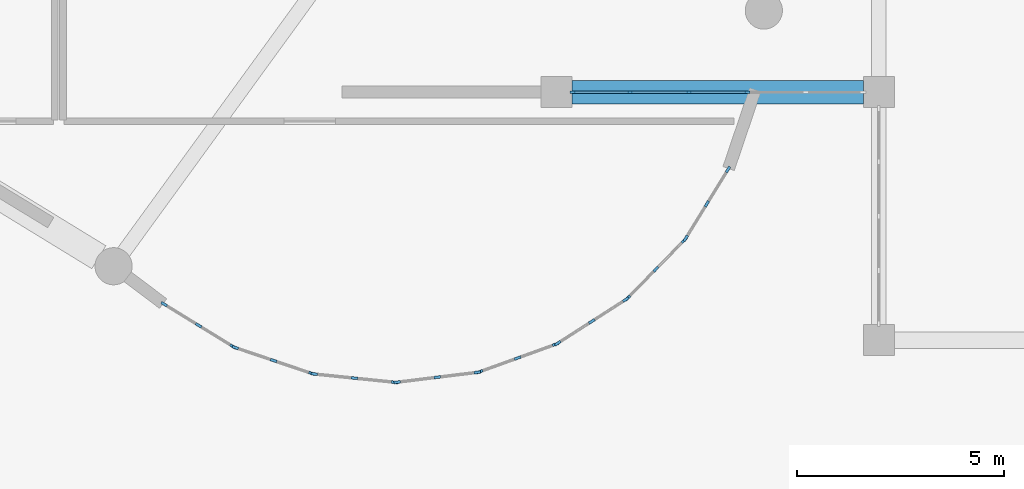
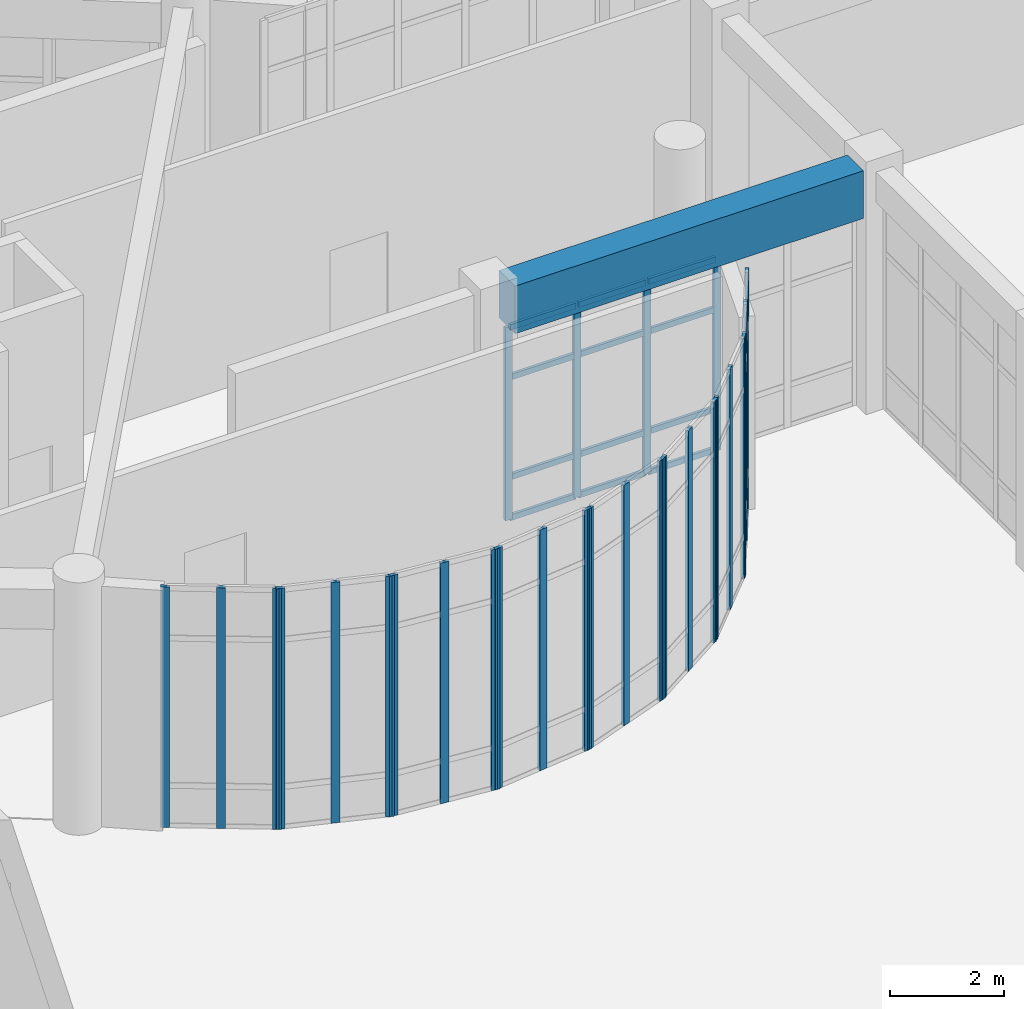
# One storey, part 17 of 70: 40 members, 1 beam, 9 elements without a shape of their own.
"""IFC4 building model written with IfcOpenShell, lengths in metres."""

import ifcopenshell
import ifcopenshell.guid

model = None  # the IFC model being written
_history = None  # IfcOwnerHistory: only IFC2X3 demands one
_inside = {}  # id of a spatial element -> (the spatial element, [elements in it])
_under = {}  # id of a project, library or spatial element -> (it, [spatial elements below it])
_declared = {}  # id of a project -> (the project, [libraries it declares])
_typed = {}  # id of a type object -> (the type object, [elements of that type])
_made_of = {}  # id of a material, layer set ... -> (it, [elements and type objects made of it])


def new_model(schema):
    """Start an empty IFC model of exactly this schema.

    Asked for "IFC4X3", IfcOpenShell would pick the latest addendum, in which some entities
    have other attributes; the version numbers below select the first issue.
    IFC2X3 requires an IfcOwnerHistory on every rooted entity: one is made here for all.
    """
    global model, _history
    if schema == "IFC4X3":
        model = ifcopenshell.file(schema_version=(4, 3, 0, 0))
    else:
        model = ifcopenshell.file(schema=schema)
    _inside.clear()
    _under.clear()
    _declared.clear()
    _typed.clear()
    _made_of.clear()
    _history = None
    if model.schema == "IFC2X3":
        org = make("IfcOrganization", Name="unknown")
        user = make(
            "IfcPersonAndOrganization",
            ThePerson=make("IfcPerson", FamilyName="unknown"),
            TheOrganization=org,
        )
        app = make(
            "IfcApplication",
            ApplicationDeveloper=org,
            Version="unknown",
            ApplicationFullName="unknown",
            ApplicationIdentifier="unknown",
        )
        _history = make(
            "IfcOwnerHistory",
            OwningUser=user,
            OwningApplication=app,
            ChangeAction="ADDED",
            CreationDate=0,
        )
    return model


def make(cls, **values):
    """One entity of the class cls with the attributes given. An attribute that is None is left unset."""
    return model.create_entity(
        cls, **{name: value for name, value in values.items() if value is not None}
    )


def rooted(cls, **values):
    """An entity with a GlobalId (a new one), such as an element, a storey or a relation."""
    return make(cls, GlobalId=ifcopenshell.guid.new(), OwnerHistory=_history, **values)


def si_unit(unit_type, name, prefix=None):
    """IfcSIUnit, for example si_unit("LENGTHUNIT", "METRE", prefix="MILLI")."""
    return make("IfcSIUnit", UnitType=unit_type, Prefix=prefix, Name=name)


def assignment(units):
    """IfcUnitAssignment: the units of a project."""
    return None if units is None else make("IfcUnitAssignment", Units=units)


def point(xyz):
    """IfcCartesianPoint."""
    return None if xyz is None else make("IfcCartesianPoint", Coordinates=xyz)


def direction(xyz):
    """IfcDirection."""
    return None if xyz is None else make("IfcDirection", DirectionRatios=xyz)


def frame(location, z_axis=None, x_axis=None):
    """IfcAxis2Placement3D, a coordinate frame: its origin and axes. An axis left out is left unset."""
    return make(
        "IfcAxis2Placement3D",
        Location=point(location),
        Axis=direction(z_axis),
        RefDirection=direction(x_axis),
    )


def frame_2d(location, x_axis=None):
    """IfcAxis2Placement2D, a coordinate frame in the plane: its origin and x axis."""
    return make(
        "IfcAxis2Placement2D", Location=point(location), RefDirection=direction(x_axis)
    )


def origin():
    """The frame at (0, 0, 0) with its axes left unset."""
    return frame((0.0, 0.0, 0.0))


def origin_2d():
    """The frame at (0, 0) in the plane with its x axis left unset."""
    return frame_2d((0.0, 0.0))


def place(relative_to, where):
    """IfcLocalPlacement: puts the frame where relative to a parent placement (None: the world)."""
    return make(
        "IfcLocalPlacement", PlacementRelTo=relative_to, RelativePlacement=where
    )


def context(
    kind, dimensions, precision=None, world=None, true_north=None, identifier=None
):
    """IfcGeometricRepresentationContext, for example the 3D "Model" context."""
    return make(
        "IfcGeometricRepresentationContext",
        ContextIdentifier=identifier,
        ContextType=kind,
        CoordinateSpaceDimension=dimensions,
        Precision=precision,
        WorldCoordinateSystem=world,
        TrueNorth=true_north,
    )


def subcontext(parent, identifier, kind, view, scale=None):
    """IfcGeometricRepresentationSubContext, for example "Body" below "Model"."""
    return make(
        "IfcGeometricRepresentationSubContext",
        ContextIdentifier=identifier,
        ContextType=kind,
        ParentContext=parent,
        TargetScale=scale,
        TargetView=view,
    )


def project(units=None, contexts=None):
    """IfcProject with its units and contexts."""
    return rooted(
        "IfcProject",
        Name="project",
        RepresentationContexts=contexts,
        UnitsInContext=assignment(units),
    )


def spatial(cls, under=None, at=None, **own):
    """A site, building, storey or space (cls), placed at a placement, below another one or the project."""
    s = rooted(cls, ObjectPlacement=at, **own)
    if under is not None:
        _under.setdefault(under.id(), (under, []))[1].append(s)
    return s


def profile(cls, at=None, kind="AREA", **sizes):
    """A parametric profile (cls). Its sizes go by their IFC names, for example OverallWidth=200.0."""
    return make(cls, ProfileType=kind, Position=at, **sizes)


def rectangle(**sizes):
    """IfcRectangleProfileDef."""
    return profile("IfcRectangleProfileDef", **sizes)


def extrude(swept, where, along, depth):
    """IfcExtrudedAreaSolid: the profile swept, set in the frame where, extruded along a direction by depth."""
    return make(
        "IfcExtrudedAreaSolid",
        SweptArea=swept,
        Position=where,
        ExtrudedDirection=direction(along),
        Depth=depth,
    )


def shape(context_of_items, identifier, shape_type, items):
    """IfcShapeRepresentation: the items that make up one representation, for example the "Body"."""
    return make(
        "IfcShapeRepresentation",
        ContextOfItems=context_of_items,
        RepresentationIdentifier=identifier,
        RepresentationType=shape_type,
        Items=items,
    )


def material(Name=None, Category=None):
    """IfcMaterial."""
    return make("IfcMaterial", Name=Name, Category=Category)


def layer(
    of_material, thickness, ventilated=None, Name=None, Category=None, Priority=None
):
    """IfcMaterialLayer: one layer of a wall or slab, of a material (None: an air gap)."""
    return make(
        "IfcMaterialLayer",
        Material=of_material,
        LayerThickness=thickness,
        IsVentilated=ventilated,
        Name=Name,
        Category=Category,
        Priority=Priority,
    )


def layer_set(layers, Name=None):
    """IfcMaterialLayerSet."""
    return make("IfcMaterialLayerSet", MaterialLayers=layers, LayerSetName=Name)


def material_profile(
    of_material, cross_section, Name=None, Category=None, Priority=None
):
    """IfcMaterialProfile: a cross section and its material."""
    return make(
        "IfcMaterialProfile",
        Name=Name,
        Material=of_material,
        Profile=cross_section,
        Priority=Priority,
        Category=Category,
    )


def profile_set(profiles, Name=None, composite=None):
    """IfcMaterialProfileSet."""
    return make(
        "IfcMaterialProfileSet",
        Name=Name,
        MaterialProfiles=profiles,
        CompositeProfile=composite,
    )


def made_of(thing, what):
    """Note that an element or type object is made of a material, layer set ...; save() writes the relation."""
    if what is not None:
        _made_of.setdefault(what.id(), (what, []))[1].append(thing)
    return thing


def type_object(cls, material=None, **own):
    """A type object (cls), such as IfcWallType, which elements share."""
    return made_of(rooted(cls, **own), material)


def element(
    cls,
    number,
    at=None,
    inside=None,
    cuts=None,
    type_object=None,
    material=None,
    context=None,
    identifier="Body",
    shape_type=None,
    held_by="IfcProductDefinitionShape",
    body=None,
    shapes=None,
    **own,
):
    """One element of the class cls, such as IfcWall. Its Tag is "e" and its number.

    at: its placement. inside: the storey or other place that contains it. cuts: it is an
    opening in that element (IfcRelVoidsElement). A single representation is given by context,
    identifier, shape_type and body (its items); several are given by shapes. held_by: the class
    of the entity that holds the representations. save() writes the other relations.
    """
    e = rooted(cls, Tag="e%d" % number, ObjectPlacement=at, **own)
    if body is not None:
        shapes = [shape(context, identifier, shape_type, body)]
    if shapes is not None:
        e.Representation = make(held_by, Representations=shapes)
    if inside is not None:
        _inside.setdefault(inside.id(), (inside, []))[1].append(e)
    if cuts is not None:
        rooted(
            "IfcRelVoidsElement", RelatingBuildingElement=cuts, RelatedOpeningElement=e
        )
    if type_object is not None:
        _typed.setdefault(type_object.id(), (type_object, []))[1].append(e)
    return made_of(e, material)


def aggregate(whole, parts):
    """IfcRelAggregates: a whole, such as a stair, and the parts it consists of."""
    return rooted("IfcRelAggregates", RelatingObject=whole, RelatedObjects=parts)


def save(model, path):
    """Write the relations noted so far, then the file.

    IfcRelAggregates (storeys below a building ...), IfcRelContainedInSpatialStructure (elements
    in a storey), IfcRelDefinesByType, IfcRelAssociatesMaterial and IfcRelDeclares: one each for
    every whole, place, type object, material and project.
    """
    for whole, parts in _under.values():
        aggregate(whole, parts)
    for where, things in _inside.values():
        rooted(
            "IfcRelContainedInSpatialStructure",
            RelatedElements=things,
            RelatingStructure=where,
        )
    for kind, things in _typed.values():
        rooted("IfcRelDefinesByType", RelatedObjects=things, RelatingType=kind)
    for what, things in _made_of.values():
        rooted("IfcRelAssociatesMaterial", RelatedObjects=things, RelatingMaterial=what)
    for by, libraries in _declared.values():
        rooted("IfcRelDeclares", RelatingContext=by, RelatedDefinitions=libraries)
    model.write(path)


model = new_model("IFC4")

# Units and contexts
model_context = context("Model", 3, precision=1e-05, world=origin(), true_north=direction((0.0, 1.0)))
body_context = subcontext(model_context, "Body", "Model", "MODEL_VIEW")
ifc_project = project(units=[si_unit("LENGTHUNIT", "METRE"), si_unit("AREAUNIT", "SQUARE_METRE"), si_unit("VOLUMEUNIT", "CUBIC_METRE"), si_unit("PLANEANGLEUNIT", "RADIAN"), si_unit("MASSUNIT", "GRAM", prefix="KILO")], contexts=[model_context])

# Site, building, storey
site_placement = place(None, origin())
site = spatial("IfcSite", under=ifc_project, at=site_placement, CompositionType="ELEMENT")
building_placement = place(site_placement, origin())
building = spatial("IfcBuilding", under=site, at=building_placement, Name="Miralva Faculty of Natural Sciences", CompositionType="ELEMENT")
storey_placement = place(building_placement, origin())
storey = spatial("IfcBuildingStorey", under=building, at=storey_placement, Name="L00", CompositionType="ELEMENT", Elevation=0.0)

# Beam
ifc_material_1 = material(Name="Concrete C40/50", Category="concrete")
ifc_material_profile_1 = material_profile(ifc_material_1, rectangle(XDim=0.56005859375, YDim=1.02001953125, at=origin_2d()), Name="RC 560x1020")
ifc_profile_set_1 = profile_set([ifc_material_profile_1], Name="Concrete C40/50")
beam_type = type_object("IfcBeamType", Name="BM-BG22", PredefinedType="BEAM", material=ifc_profile_set_1)
beam_placement = place(storey_placement, frame((126.375, 18.0, 4.64990234375), z_axis=(1.0, 0.0, 0.0), x_axis=(0.0, 1.0, 0.0)))
element("IfcBeam", 1, at=beam_placement, inside=storey, type_object=beam_type, Name="Girder EW L00-21", PredefinedType="BEAM", context=body_context, shape_type="SweptSolid", body=[
    extrude(rectangle(XDim=0.56005859375, YDim=1.02001953125, at=origin_2d()), origin(), (0.0, 0.0, 1.0), 7.050048828125),
])

# Curtain wall, members
ifc_material_2 = material(Name="Laminated solar-control glass", Category="glass")
ifc_layer_1 = layer(ifc_material_2, 0.179931640625, Name="CW-RND-L00")
ifc_layer_set_1 = layer_set([ifc_layer_1], Name="Laminated solar-control glass")
curtain_wall_type_1 = type_object("IfcCurtainWallType", Name="CW-RND-L00", PredefinedType="USERDEFINED", material=ifc_layer_set_1)
curtain_wall_1_placement = place(storey_placement, origin())
curtain_wall_1 = element("IfcCurtainWall", 2, at=curtain_wall_1_placement, inside=storey, type_object=curtain_wall_type_1, Name="Curtain wall CW-04 L00-21", ObjectType="UNITISED CURTAIN WALL", PredefinedType="USERDEFINED")
ifc_material_3 = material(Name="Anodised aluminium", Category="aluminium")
ifc_material_profile_2 = material_profile(ifc_material_3, rectangle(XDim=0.06494140625, YDim=0.159912109375, at=origin_2d()), Name="MULLION 65x160")
ifc_profile_set_2 = profile_set([ifc_material_profile_2], Name="Anodised aluminium")
member_type_1 = type_object("IfcMemberType", Name="CW-M02", PredefinedType="MULLION", material=ifc_profile_set_2)
member_1_placement = place(storey_placement, frame((129.12353515625, 14.46337890625, 0.0), z_axis=(0.0, 0.0, 1.0), x_axis=(-0.851994617353, 0.523550543884, 0.0)))
member_1 = element("IfcMember", 3, at=member_1_placement, type_object=member_type_1, Name="CW-04 mullion 1", PredefinedType="MULLION", context=body_context, shape_type="SweptSolid", body=[
    extrude(rectangle(XDim=0.06494140625, YDim=0.159912109375, at=origin_2d()), origin(), (0.0, 0.0, 1.0), 5.14990234375),
])
member_2_placement = place(storey_placement, frame((129.635498046875, 15.29638671875, 0.0), z_axis=(0.0, 0.0, 1.0), x_axis=(-0.851994617353, 0.523550543884, 0.0)))
member_2 = element("IfcMember", 4, at=member_2_placement, type_object=member_type_1, Name="CW-04 mullion 2", PredefinedType="MULLION", context=body_context, shape_type="SweptSolid", body=[
    extrude(rectangle(XDim=0.06494140625, YDim=0.159912109375, at=origin_2d()), origin(), (0.0, 0.0, 1.0), 5.14990234375),
])
member_3_placement = place(storey_placement, frame((130.147216796875, 16.12939453125, 0.0), z_axis=(0.0, 0.0, 1.0), x_axis=(-0.851994617353, 0.523550543884, 0.0)))
member_3 = element("IfcMember", 5, at=member_3_placement, type_object=member_type_1, Name="CW-04 mullion 3", PredefinedType="MULLION", context=body_context, shape_type="SweptSolid", body=[
    extrude(rectangle(XDim=0.06494140625, YDim=0.159912109375, at=origin_2d()), origin(), (0.0, 0.0, 1.0), 5.14990234375),
])
aggregate(curtain_wall_1, [member_1, member_2, member_3])

curtain_wall_2_placement = place(storey_placement, origin())
curtain_wall_2 = element("IfcCurtainWall", 6, at=curtain_wall_2_placement, inside=storey, type_object=curtain_wall_type_1, Name="Curtain wall CW-04 L00-22", ObjectType="UNITISED CURTAIN WALL", PredefinedType="USERDEFINED")
member_4_placement = place(storey_placement, frame((127.718505859375, 13.01953125, 0.0), z_axis=(0.0, 0.0, 1.0), x_axis=(-0.714124749017, 0.700018458929, 0.0)))
member_4 = element("IfcMember", 7, at=member_4_placement, type_object=member_type_1, Name="CW-04 mullion 1", PredefinedType="MULLION", context=body_context, shape_type="SweptSolid", body=[
    extrude(rectangle(XDim=0.06494140625, YDim=0.159912109375, at=origin_2d()), origin(), (0.0, 0.0, 1.0), 5.14990234375),
])
member_5_placement = place(storey_placement, frame((128.40283203125, 13.7177734375, 0.0), z_axis=(0.0, 0.0, 1.0), x_axis=(-0.714124749017, 0.700018458929, 0.0)))
member_5 = element("IfcMember", 8, at=member_5_placement, type_object=member_type_1, Name="CW-04 mullion 2", PredefinedType="MULLION", context=body_context, shape_type="SweptSolid", body=[
    extrude(rectangle(XDim=0.06494140625, YDim=0.159912109375, at=origin_2d()), origin(), (0.0, 0.0, 1.0), 5.14990234375),
])
member_6_placement = place(storey_placement, frame((129.087158203125, 14.416015625, 0.0), z_axis=(0.0, 0.0, 1.0), x_axis=(-0.714124749017, 0.700018458929, 0.0)))
member_6 = element("IfcMember", 9, at=member_6_placement, type_object=member_type_1, Name="CW-04 mullion 3", PredefinedType="MULLION", context=body_context, shape_type="SweptSolid", body=[
    extrude(rectangle(XDim=0.06494140625, YDim=0.159912109375, at=origin_2d()), origin(), (0.0, 0.0, 1.0), 5.14990234375),
])
aggregate(curtain_wall_2, [member_4, member_5, member_6])

curtain_wall_3_placement = place(storey_placement, origin())
curtain_wall_3 = element("IfcCurtainWall", 10, at=curtain_wall_3_placement, inside=storey, type_object=curtain_wall_type_1, Name="Curtain wall CW-04 L00-23", ObjectType="UNITISED CURTAIN WALL", PredefinedType="USERDEFINED")
member_7_placement = place(storey_placement, frame((126.02734375, 11.9248046875, 0.0), z_axis=(0.0, 0.0, 1.0), x_axis=(-0.540444854725, 0.841379438185, 0.0)))
member_7 = element("IfcMember", 11, at=member_7_placement, type_object=member_type_1, Name="CW-04 mullion 1", PredefinedType="MULLION", context=body_context, shape_type="SweptSolid", body=[
    extrude(rectangle(XDim=0.06494140625, YDim=0.159912109375, at=origin_2d()), origin(), (0.0, 0.0, 1.0), 5.14990234375),
])
member_8_placement = place(storey_placement, frame((126.849853515625, 12.453125, 0.0), z_axis=(0.0, 0.0, 1.0), x_axis=(-0.540444854725, 0.841379438185, 0.0)))
member_8 = element("IfcMember", 12, at=member_8_placement, type_object=member_type_1, Name="CW-04 mullion 2", PredefinedType="MULLION", context=body_context, shape_type="SweptSolid", body=[
    extrude(rectangle(XDim=0.06494140625, YDim=0.159912109375, at=origin_2d()), origin(), (0.0, 0.0, 1.0), 5.14990234375),
])
member_9_placement = place(storey_placement, frame((127.672607421875, 12.9814453125, 0.0), z_axis=(0.0, 0.0, 1.0), x_axis=(-0.540444854725, 0.841379438185, 0.0)))
member_9 = element("IfcMember", 13, at=member_9_placement, type_object=member_type_1, Name="CW-04 mullion 3", PredefinedType="MULLION", context=body_context, shape_type="SweptSolid", body=[
    extrude(rectangle(XDim=0.06494140625, YDim=0.159912109375, at=origin_2d()), origin(), (0.0, 0.0, 1.0), 5.14990234375),
])
aggregate(curtain_wall_3, [member_7, member_8, member_9])

curtain_wall_4_placement = place(storey_placement, origin())
curtain_wall_4 = element("IfcCurtainWall", 14, at=curtain_wall_4_placement, inside=storey, type_object=curtain_wall_type_1, Name="Curtain wall CW-04 L00-24", ObjectType="UNITISED CURTAIN WALL", PredefinedType="USERDEFINED")
member_10_placement = place(storey_placement, frame((124.135009765625, 11.233642578125, 0.0), z_axis=(0.0, 0.0, 1.0), x_axis=(-0.339695547876, 0.940535451088, 0.0)))
member_10 = element("IfcMember", 15, at=member_10_placement, type_object=member_type_1, Name="CW-04 mullion 1", PredefinedType="MULLION", context=body_context, shape_type="SweptSolid", body=[
    extrude(rectangle(XDim=0.06494140625, YDim=0.159912109375, at=origin_2d()), origin(), (0.0, 0.0, 1.0), 5.14990234375),
])
member_11_placement = place(storey_placement, frame((125.0546875, 11.565673828125, 0.0), z_axis=(0.0, 0.0, 1.0), x_axis=(-0.339695547876, 0.940535451088, 0.0)))
member_11 = element("IfcMember", 16, at=member_11_placement, type_object=member_type_1, Name="CW-04 mullion 2", PredefinedType="MULLION", context=body_context, shape_type="SweptSolid", body=[
    extrude(rectangle(XDim=0.06494140625, YDim=0.159912109375, at=origin_2d()), origin(), (0.0, 0.0, 1.0), 5.14990234375),
])
member_12_placement = place(storey_placement, frame((125.97412109375, 11.89794921875, 0.0), z_axis=(0.0, 0.0, 1.0), x_axis=(-0.339695547876, 0.940535451088, 0.0)))
member_12 = element("IfcMember", 17, at=member_12_placement, type_object=member_type_1, Name="CW-04 mullion 3", PredefinedType="MULLION", context=body_context, shape_type="SweptSolid", body=[
    extrude(rectangle(XDim=0.06494140625, YDim=0.159912109375, at=origin_2d()), origin(), (0.0, 0.0, 1.0), 5.14990234375),
])
aggregate(curtain_wall_4, [member_10, member_11, member_12])

curtain_wall_5_placement = place(storey_placement, origin())
curtain_wall_5 = element("IfcCurtainWall", 18, at=curtain_wall_5_placement, inside=storey, type_object=curtain_wall_type_1, Name="Curtain wall CW-04 L00-25", ObjectType="UNITISED CURTAIN WALL", PredefinedType="USERDEFINED")
member_13_placement = place(storey_placement, frame((122.136474609375, 10.98095703125, 0.0), z_axis=(0.0, 0.0, 1.0), x_axis=(-0.121859649701, 0.99254734183, 0.0)))
member_13 = element("IfcMember", 19, at=member_13_placement, type_object=member_type_1, Name="CW-04 mullion 1", PredefinedType="MULLION", context=body_context, shape_type="SweptSolid", body=[
    extrude(rectangle(XDim=0.06494140625, YDim=0.159912109375, at=origin_2d()), origin(), (0.0, 0.0, 1.0), 5.14990234375),
])
member_14_placement = place(storey_placement, frame((123.10693359375, 11.10009765625, 0.0), z_axis=(0.0, 0.0, 1.0), x_axis=(-0.121859649701, 0.99254734183, 0.0)))
member_14 = element("IfcMember", 20, at=member_14_placement, type_object=member_type_1, Name="CW-04 mullion 2", PredefinedType="MULLION", context=body_context, shape_type="SweptSolid", body=[
    extrude(rectangle(XDim=0.06494140625, YDim=0.159912109375, at=origin_2d()), origin(), (0.0, 0.0, 1.0), 5.14990234375),
])
member_15_placement = place(storey_placement, frame((124.0771484375, 11.21923828125, 0.0), z_axis=(0.0, 0.0, 1.0), x_axis=(-0.121859649701, 0.99254734183, 0.0)))
member_15 = element("IfcMember", 21, at=member_15_placement, type_object=member_type_1, Name="CW-04 mullion 3", PredefinedType="MULLION", context=body_context, shape_type="SweptSolid", body=[
    extrude(rectangle(XDim=0.06494140625, YDim=0.159912109375, at=origin_2d()), origin(), (0.0, 0.0, 1.0), 5.14990234375),
])
aggregate(curtain_wall_5, [member_13, member_14, member_15])

curtain_wall_6_placement = place(storey_placement, origin())
curtain_wall_6 = element("IfcCurtainWall", 22, at=curtain_wall_6_placement, inside=storey, type_object=curtain_wall_type_1, Name="Curtain wall CW-04 L00-26", ObjectType="UNITISED CURTAIN WALL", PredefinedType="USERDEFINED")
member_16_placement = place(storey_placement, frame((120.131591796875, 11.179443359375, 0.0), z_axis=(0.0, 0.0, 1.0), x_axis=(0.102056494477, 0.994778604482, 0.0)))
member_16 = element("IfcMember", 23, at=member_16_placement, type_object=member_type_1, Name="CW-04 mullion 1", PredefinedType="MULLION", context=body_context, shape_type="SweptSolid", body=[
    extrude(rectangle(XDim=0.06494140625, YDim=0.159912109375, at=origin_2d()), origin(), (0.0, 0.0, 1.0), 5.14990234375),
])
member_17_placement = place(storey_placement, frame((121.104248046875, 11.07958984375, 0.0), z_axis=(0.0, 0.0, 1.0), x_axis=(0.102056494477, 0.994778604482, 0.0)))
member_17 = element("IfcMember", 24, at=member_17_placement, type_object=member_type_1, Name="CW-04 mullion 2", PredefinedType="MULLION", context=body_context, shape_type="SweptSolid", body=[
    extrude(rectangle(XDim=0.06494140625, YDim=0.159912109375, at=origin_2d()), origin(), (0.0, 0.0, 1.0), 5.14990234375),
])
member_18_placement = place(storey_placement, frame((122.076904296875, 10.979736328125, 0.0), z_axis=(0.0, 0.0, 1.0), x_axis=(0.102056494477, 0.994778604482, 0.0)))
member_18 = element("IfcMember", 25, at=member_18_placement, type_object=member_type_1, Name="CW-04 mullion 3", PredefinedType="MULLION", context=body_context, shape_type="SweptSolid", body=[
    extrude(rectangle(XDim=0.06494140625, YDim=0.159912109375, at=origin_2d()), origin(), (0.0, 0.0, 1.0), 5.14990234375),
])
aggregate(curtain_wall_6, [member_16, member_17, member_18])

curtain_wall_7_placement = place(storey_placement, origin())
curtain_wall_7 = element("IfcCurtainWall", 26, at=curtain_wall_7_placement, inside=storey, type_object=curtain_wall_type_1, Name="Curtain wall CW-04 L00-27", ObjectType="UNITISED CURTAIN WALL", PredefinedType="USERDEFINED")
member_19_placement = place(storey_placement, frame((118.22119140625, 11.81884765625, 0.0), z_axis=(0.0, 0.0, 1.0), x_axis=(0.320842126361, 0.947132688672, 0.0)))
member_19 = element("IfcMember", 27, at=member_19_placement, type_object=member_type_1, Name="CW-04 mullion 1", PredefinedType="MULLION", context=body_context, shape_type="SweptSolid", body=[
    extrude(rectangle(XDim=0.06494140625, YDim=0.159912109375, at=origin_2d()), origin(), (0.0, 0.0, 1.0), 5.14990234375),
])
member_20_placement = place(storey_placement, frame((119.147216796875, 11.505126953125, 0.0), z_axis=(0.0, 0.0, 1.0), x_axis=(0.320842126361, 0.947132688672, 0.0)))
member_20 = element("IfcMember", 28, at=member_20_placement, type_object=member_type_1, Name="CW-04 mullion 2", PredefinedType="MULLION", context=body_context, shape_type="SweptSolid", body=[
    extrude(rectangle(XDim=0.06494140625, YDim=0.159912109375, at=origin_2d()), origin(), (0.0, 0.0, 1.0), 5.14990234375),
])
member_21_placement = place(storey_placement, frame((120.0732421875, 11.19140625, 0.0), z_axis=(0.0, 0.0, 1.0), x_axis=(0.320842126361, 0.947132688672, 0.0)))
member_21 = element("IfcMember", 29, at=member_21_placement, type_object=member_type_1, Name="CW-04 mullion 3", PredefinedType="MULLION", context=body_context, shape_type="SweptSolid", body=[
    extrude(rectangle(XDim=0.06494140625, YDim=0.159912109375, at=origin_2d()), origin(), (0.0, 0.0, 1.0), 5.14990234375),
])
aggregate(curtain_wall_7, [member_19, member_20, member_21])

curtain_wall_8_placement = place(storey_placement, origin())
curtain_wall_8 = element("IfcCurtainWall", 30, at=curtain_wall_8_placement, inside=storey, type_object=curtain_wall_type_1, Name="Curtain wall CW-04 L00-28", ObjectType="UNITISED CURTAIN WALL", PredefinedType="USERDEFINED")
member_22_placement = place(storey_placement, frame((116.496826171875, 12.8701171875, 0.0), z_axis=(0.0, 0.0, 1.0), x_axis=(0.523535366458, 0.852003943693, 0.0)))
member_22 = element("IfcMember", 31, at=member_22_placement, type_object=member_type_1, Name="CW-04 mullion 1", PredefinedType="MULLION", context=body_context, shape_type="SweptSolid", body=[
    extrude(rectangle(XDim=0.06494140625, YDim=0.159912109375, at=origin_2d()), origin(), (0.0, 0.0, 1.0), 5.14990234375),
])
member_23_placement = place(storey_placement, frame((117.33203125, 12.35693359375, 0.0), z_axis=(0.0, 0.0, 1.0), x_axis=(0.523535366458, 0.852003943693, 0.0)))
member_23 = element("IfcMember", 32, at=member_23_placement, type_object=member_type_1, Name="CW-04 mullion 2", PredefinedType="MULLION", context=body_context, shape_type="SweptSolid", body=[
    extrude(rectangle(XDim=0.06494140625, YDim=0.159912109375, at=origin_2d()), origin(), (0.0, 0.0, 1.0), 5.14990234375),
])
member_24_placement = place(storey_placement, frame((118.1669921875, 11.84375, 0.0), z_axis=(0.0, 0.0, 1.0), x_axis=(0.523535366458, 0.852003943693, 0.0)))
member_24 = element("IfcMember", 33, at=member_24_placement, type_object=member_type_1, Name="CW-04 mullion 3", PredefinedType="MULLION", context=body_context, shape_type="SweptSolid", body=[
    extrude(rectangle(XDim=0.06494140625, YDim=0.159912109375, at=origin_2d()), origin(), (0.0, 0.0, 1.0), 5.14990234375),
])
aggregate(curtain_wall_8, [member_22, member_23, member_24])

ifc_layer_2 = layer(ifc_material_2, 0.179931640625, Name="CW-COM-L01")
ifc_layer_set_2 = layer_set([ifc_layer_2], Name="Laminated solar-control glass")
curtain_wall_type_2 = type_object("IfcCurtainWallType", Name="CW-COM-L01", PredefinedType="USERDEFINED", material=ifc_layer_set_2)
curtain_wall_9_placement = place(storey_placement, origin())
curtain_wall_9 = element("IfcCurtainWall", 34, at=curtain_wall_9_placement, inside=storey, type_object=curtain_wall_type_2, Name="Curtain wall CW-10 L00-284", ObjectType="UNITISED CURTAIN WALL", PredefinedType="USERDEFINED")
ifc_material_profile_3 = material_profile(ifc_material_3, rectangle(XDim=0.06005859375, YDim=0.139892578125, at=origin_2d()), Name="MULLION 60x140")
ifc_profile_set_3 = profile_set([ifc_material_profile_3], Name="Anodised aluminium")
member_type_2 = type_object("IfcMemberType", Name="CW-M03", PredefinedType="MULLION", material=ifc_profile_set_3)
member_25_placement = place(storey_placement, frame((126.39501953125, 18.0, 0.0), z_axis=(0.0, 0.0, 1.0), x_axis=(0.0, 1.0, 0.0)))
member_25 = element("IfcMember", 35, at=member_25_placement, type_object=member_type_2, Name="CW-10 mullion 1", PredefinedType="MULLION", context=body_context, shape_type="SweptSolid", body=[
    extrude(rectangle(XDim=0.06005859375, YDim=0.139892578125, at=origin_2d()), origin(), (0.0, 0.0, 1.0), 4.135009765625),
])
member_26_placement = place(storey_placement, frame((127.781005859375, 18.0, 0.0), z_axis=(0.0, 0.0, 1.0), x_axis=(0.0, 1.0, 0.0)))
member_26 = element("IfcMember", 36, at=member_26_placement, type_object=member_type_2, Name="CW-10 mullion 2", PredefinedType="MULLION", context=body_context, shape_type="SweptSolid", body=[
    extrude(rectangle(XDim=0.06005859375, YDim=0.139892578125, at=origin_2d()), origin(), (0.0, 0.0, 1.0), 4.135009765625),
])
member_27_placement = place(storey_placement, frame((129.197021484375, 18.0, 0.0), z_axis=(0.0, 0.0, 1.0), x_axis=(0.0, 1.0, 0.0)))
member_27 = element("IfcMember", 37, at=member_27_placement, type_object=member_type_2, Name="CW-10 mullion 3", PredefinedType="MULLION", context=body_context, shape_type="SweptSolid", body=[
    extrude(rectangle(XDim=0.06005859375, YDim=0.139892578125, at=origin_2d()), origin(), (0.0, 0.0, 1.0), 4.135009765625),
])
member_28_placement = place(storey_placement, frame((130.613037109375, 18.0, 0.0), z_axis=(0.0, 0.0, 1.0), x_axis=(0.0, 1.0, 0.0)))
member_28 = element("IfcMember", 38, at=member_28_placement, type_object=member_type_2, Name="CW-10 mullion 4", PredefinedType="MULLION", context=body_context, shape_type="SweptSolid", body=[
    extrude(rectangle(XDim=0.06005859375, YDim=0.139892578125, at=origin_2d()), origin(), (0.0, 0.0, 1.0), 4.135009765625),
])
ifc_material_profile_4 = material_profile(ifc_material_3, rectangle(XDim=0.06005859375, YDim=0.1201171875, at=origin_2d()), Name="TRANSOM 60x120")
ifc_profile_set_4 = profile_set([ifc_material_profile_4], Name="Anodised aluminium")
member_type_3 = type_object("IfcMemberType", Name="CW-T02", PredefinedType="USERDEFINED", material=ifc_profile_set_4)
member_29_placement = place(storey_placement, frame((126.425048828125, 18.0, 0.030029296875), z_axis=(1.0, 0.0, 0.0), x_axis=(0.0, 1.0, 0.0)))
member_29 = element("IfcMember", 39, at=member_29_placement, type_object=member_type_3, Name="CW-10 transom 1.1", ObjectType="TRANSOM", PredefinedType="USERDEFINED", context=body_context, shape_type="SweptSolid", body=[
    extrude(rectangle(XDim=0.06005859375, YDim=0.1201171875, at=origin_2d()), origin(), (0.0, 0.0, 1.0), 1.325927734375),
])
member_30_placement = place(storey_placement, frame((126.425048828125, 18.0, 0.89990234375), z_axis=(1.0, 0.0, 0.0), x_axis=(0.0, 1.0, 0.0)))
member_30 = element("IfcMember", 40, at=member_30_placement, type_object=member_type_3, Name="CW-10 transom 1.2", ObjectType="TRANSOM", PredefinedType="USERDEFINED", context=body_context, shape_type="SweptSolid", body=[
    extrude(rectangle(XDim=0.06005859375, YDim=0.1201171875, at=origin_2d()), origin(), (0.0, 0.0, 1.0), 1.325927734375),
])
member_31_placement = place(storey_placement, frame((126.425048828125, 18.0, 3.034912109375), z_axis=(1.0, 0.0, 0.0), x_axis=(0.0, 1.0, 0.0)))
member_31 = element("IfcMember", 41, at=member_31_placement, type_object=member_type_3, Name="CW-10 transom 1.3", ObjectType="TRANSOM", PredefinedType="USERDEFINED", context=body_context, shape_type="SweptSolid", body=[
    extrude(rectangle(XDim=0.06005859375, YDim=0.1201171875, at=origin_2d()), origin(), (0.0, 0.0, 1.0), 1.325927734375),
])
member_32_placement = place(storey_placement, frame((126.425048828125, 18.0, 4.10498046875), z_axis=(1.0, 0.0, 0.0), x_axis=(0.0, 1.0, 0.0)))
member_32 = element("IfcMember", 42, at=member_32_placement, type_object=member_type_3, Name="CW-10 transom 1.4", ObjectType="TRANSOM", PredefinedType="USERDEFINED", context=body_context, shape_type="SweptSolid", body=[
    extrude(rectangle(XDim=0.06005859375, YDim=0.1201171875, at=origin_2d()), origin(), (0.0, 0.0, 1.0), 1.325927734375),
])
member_33_placement = place(storey_placement, frame((127.81103515625, 18.0, 0.030029296875), z_axis=(1.0, 0.0, 0.0), x_axis=(0.0, 1.0, 0.0)))
member_33 = element("IfcMember", 43, at=member_33_placement, type_object=member_type_3, Name="CW-10 transom 2.1", ObjectType="TRANSOM", PredefinedType="USERDEFINED", context=body_context, shape_type="SweptSolid", body=[
    extrude(rectangle(XDim=0.06005859375, YDim=0.1201171875, at=origin_2d()), origin(), (0.0, 0.0, 1.0), 1.35595703125),
])
member_34_placement = place(storey_placement, frame((127.81103515625, 18.0, 0.89990234375), z_axis=(1.0, 0.0, 0.0), x_axis=(0.0, 1.0, 0.0)))
member_34 = element("IfcMember", 44, at=member_34_placement, type_object=member_type_3, Name="CW-10 transom 2.2", ObjectType="TRANSOM", PredefinedType="USERDEFINED", context=body_context, shape_type="SweptSolid", body=[
    extrude(rectangle(XDim=0.06005859375, YDim=0.1201171875, at=origin_2d()), origin(), (0.0, 0.0, 1.0), 1.35595703125),
])
member_35_placement = place(storey_placement, frame((127.81103515625, 18.0, 3.034912109375), z_axis=(1.0, 0.0, 0.0), x_axis=(0.0, 1.0, 0.0)))
member_35 = element("IfcMember", 45, at=member_35_placement, type_object=member_type_3, Name="CW-10 transom 2.3", ObjectType="TRANSOM", PredefinedType="USERDEFINED", context=body_context, shape_type="SweptSolid", body=[
    extrude(rectangle(XDim=0.06005859375, YDim=0.1201171875, at=origin_2d()), origin(), (0.0, 0.0, 1.0), 1.35595703125),
])
member_36_placement = place(storey_placement, frame((127.81103515625, 18.0, 4.10498046875), z_axis=(1.0, 0.0, 0.0), x_axis=(0.0, 1.0, 0.0)))
member_36 = element("IfcMember", 46, at=member_36_placement, type_object=member_type_3, Name="CW-10 transom 2.4", ObjectType="TRANSOM", PredefinedType="USERDEFINED", context=body_context, shape_type="SweptSolid", body=[
    extrude(rectangle(XDim=0.06005859375, YDim=0.1201171875, at=origin_2d()), origin(), (0.0, 0.0, 1.0), 1.35595703125),
])
member_37_placement = place(storey_placement, frame((129.22705078125, 18.0, 0.030029296875), z_axis=(1.0, 0.0, 0.0), x_axis=(0.0, 1.0, 0.0)))
member_37 = element("IfcMember", 47, at=member_37_placement, type_object=member_type_3, Name="CW-10 transom 3.1", ObjectType="TRANSOM", PredefinedType="USERDEFINED", context=body_context, shape_type="SweptSolid", body=[
    extrude(rectangle(XDim=0.06005859375, YDim=0.1201171875, at=origin_2d()), origin(), (0.0, 0.0, 1.0), 1.35595703125),
])
member_38_placement = place(storey_placement, frame((129.22705078125, 18.0, 0.89990234375), z_axis=(1.0, 0.0, 0.0), x_axis=(0.0, 1.0, 0.0)))
member_38 = element("IfcMember", 48, at=member_38_placement, type_object=member_type_3, Name="CW-10 transom 3.2", ObjectType="TRANSOM", PredefinedType="USERDEFINED", context=body_context, shape_type="SweptSolid", body=[
    extrude(rectangle(XDim=0.06005859375, YDim=0.1201171875, at=origin_2d()), origin(), (0.0, 0.0, 1.0), 1.35595703125),
])
member_39_placement = place(storey_placement, frame((129.22705078125, 18.0, 3.034912109375), z_axis=(1.0, 0.0, 0.0), x_axis=(0.0, 1.0, 0.0)))
member_39 = element("IfcMember", 49, at=member_39_placement, type_object=member_type_3, Name="CW-10 transom 3.3", ObjectType="TRANSOM", PredefinedType="USERDEFINED", context=body_context, shape_type="SweptSolid", body=[
    extrude(rectangle(XDim=0.06005859375, YDim=0.1201171875, at=origin_2d()), origin(), (0.0, 0.0, 1.0), 1.35595703125),
])
member_40_placement = place(storey_placement, frame((129.22705078125, 18.0, 4.10498046875), z_axis=(1.0, 0.0, 0.0), x_axis=(0.0, 1.0, 0.0)))
member_40 = element("IfcMember", 50, at=member_40_placement, type_object=member_type_3, Name="CW-10 transom 3.4", ObjectType="TRANSOM", PredefinedType="USERDEFINED", context=body_context, shape_type="SweptSolid", body=[
    extrude(rectangle(XDim=0.06005859375, YDim=0.1201171875, at=origin_2d()), origin(), (0.0, 0.0, 1.0), 1.35595703125),
])
aggregate(curtain_wall_9, [member_25, member_26, member_27, member_28, member_29, member_30, member_31, member_32, member_33, member_34, member_35, member_36, member_37, member_38, member_39, member_40])

save(model, "model.ifc")
